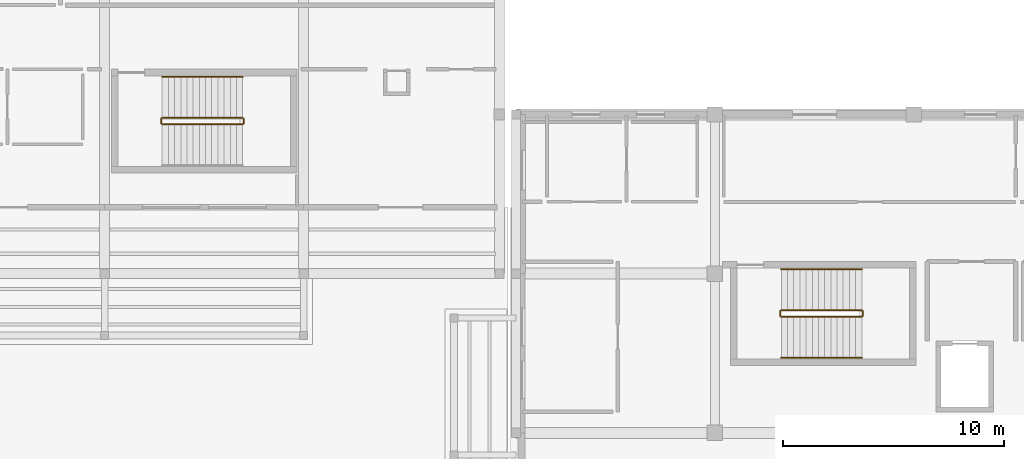
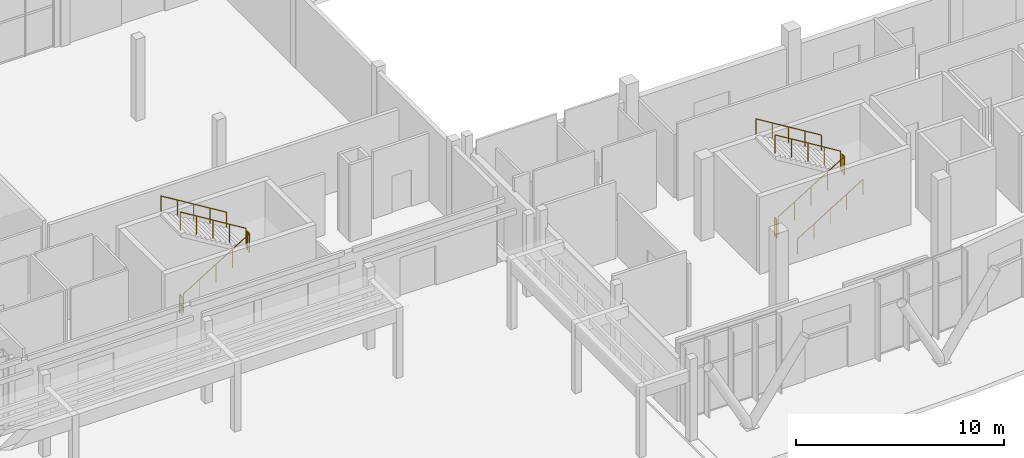
# One storey, part 138 of 151: 11 railings.
"""IFC4 building model written with IfcOpenShell, lengths in metres."""

from ifc_helpers import new_model, si_unit, direction, frame, origin, origin_2d, place, context, subcontext, project, spatial, circle, extrude, material, layer, layer_set, type_object, element, save


model = new_model("IFC4")

# Units and contexts
model_context = context("Model", 3, precision=1e-05, world=origin(), true_north=direction((0.0, 1.0)))
body_context = subcontext(model_context, "Body", "Model", "MODEL_VIEW")
ifc_project = project(units=[si_unit("LENGTHUNIT", "METRE"), si_unit("AREAUNIT", "SQUARE_METRE"), si_unit("VOLUMEUNIT", "CUBIC_METRE"), si_unit("PLANEANGLEUNIT", "RADIAN"), si_unit("MASSUNIT", "GRAM", prefix="KILO")], contexts=[model_context])

# Site, building, storey
site_placement = place(None, origin())
site = spatial("IfcSite", under=ifc_project, at=site_placement, CompositionType="ELEMENT")
building_placement = place(site_placement, origin())
building = spatial("IfcBuilding", under=site, at=building_placement, Name="Chiffa Square Polytechnic", CompositionType="ELEMENT")
storey_placement = place(building_placement, origin())
storey = spatial("IfcBuildingStorey", under=building, at=storey_placement, Name="L00", CompositionType="ELEMENT", Elevation=0.0)

# Railings
ifc_material = material(Name="Steel S355", Category="steel")
ifc_layer_1 = layer(ifc_material, 0.050048828125, Name="Steel S355")
ifc_layer_set_1 = layer_set([ifc_layer_1], Name="Steel S355")
railing_type_1 = type_object("IfcRailingType", Name="RL-STAIR-GUARD", PredefinedType="GUARDRAIL", material=ifc_layer_set_1)
railing_1_placement = place(storey_placement, frame((124.199951171875, 19.64990234375, 0.17138671875)))
element("IfcRailing", 1, at=railing_1_placement, inside=storey, type_object=railing_type_1, Name="L00 ST-V1A stair guard 1", PredefinedType="GUARDRAIL", context=body_context, shape_type="SweptSolid", body=[
    extrude(circle(Radius=0.02392578125, at=origin_2d()), frame((0.0, 0.0, 1.076171875), z_axis=(0.852865859571, 0.0, 0.52213008492), x_axis=(0.0, 1.0, 0.0)), (0.0, 0.0, 1.0), 4.26806640625),
    extrude(circle(Radius=0.02099609375, at=origin_2d()), origin(), (0.0, 0.0, 1.0), 1.052001953125),
    extrude(circle(Radius=0.02099609375, at=origin_2d()), frame((0.91015625, 0.0, 0.55712890625)), (0.0, 0.0, 1.0), 1.052001953125),
    extrude(circle(Radius=0.02099609375, at=origin_2d()), frame((1.820068359375, 0.0, 1.1142578125)), (0.0, 0.0, 1.0), 1.052001953125),
    extrude(circle(Radius=0.02099609375, at=origin_2d()), frame((2.72998046875, 0.0, 1.67138671875)), (0.0, 0.0, 1.0), 1.052001953125),
    extrude(circle(Radius=0.02099609375, at=origin_2d()), frame((3.64013671875, 0.0, 2.228515625)), (0.0, 0.0, 1.0), 1.052001953125),
])
railing_2_placement = place(storey_placement, frame((127.889892578125, 19.699951171875, 2.39990234375)))
element("IfcRailing", 2, at=railing_2_placement, inside=storey, type_object=railing_type_1, Name="L00 ST-V1A stair guard 2", PredefinedType="GUARDRAIL", context=body_context, shape_type="SweptSolid", body=[
    extrude(circle(Radius=0.02392578125, at=origin_2d()), frame((0.0, 0.0, 1.076171875), z_axis=(0.0, 1.0, 0.0), x_axis=(-1.0, 0.0, 0.0)), (0.0, 0.0, 1.0), 0.199951171875),
    extrude(circle(Radius=0.02099609375, at=origin_2d()), origin(), (0.0, 0.0, 1.0), 1.052001953125),
    extrude(circle(Radius=0.02099609375, at=origin_2d()), frame((0.0, 0.199951171875, 0.0)), (0.0, 0.0, 1.0), 1.052001953125),
])
railing_3_placement = place(storey_placement, frame((127.840087890625, 19.949951171875, 2.571533203125)))
element("IfcRailing", 3, at=railing_3_placement, inside=storey, type_object=railing_type_1, Name="L00 ST-V1A stair guard 3", PredefinedType="GUARDRAIL", context=body_context, shape_type="SweptSolid", body=[
    extrude(circle(Radius=0.02392578125, at=origin_2d()), frame((0.0, 0.0, 1.076171875), z_axis=(-0.852865859571, 0.0, 0.52213008492), x_axis=(0.0, -1.0, 0.0)), (0.0, 0.0, 1.0), 4.26806640625),
    extrude(circle(Radius=0.02099609375, at=origin_2d()), origin(), (0.0, 0.0, 1.0), 1.052001953125),
    extrude(circle(Radius=0.02099609375, at=origin_2d()), frame((-0.91015625, 0.0, 0.55712890625)), (0.0, 0.0, 1.0), 1.052001953125),
    extrude(circle(Radius=0.02099609375, at=origin_2d()), frame((-1.820068359375, 0.0, 1.1142578125)), (0.0, 0.0, 1.0), 1.052001953125),
    extrude(circle(Radius=0.02099609375, at=origin_2d()), frame((-2.72998046875, 0.0, 1.67138671875)), (0.0, 0.0, 1.0), 1.052001953125),
    extrude(circle(Radius=0.02099609375, at=origin_2d()), frame((-3.64013671875, 0.0, 2.228515625)), (0.0, 0.0, 1.0), 1.052001953125),
])
railing_4_placement = place(storey_placement, frame((124.14990234375, 19.699951171875, 0.0)))
element("IfcRailing", 4, at=railing_4_placement, inside=storey, type_object=railing_type_1, Name="L00 ST-V1A stair guard 4", PredefinedType="GUARDRAIL", context=body_context, shape_type="SweptSolid", body=[
    extrude(circle(Radius=0.02392578125, at=origin_2d()), frame((0.0, 0.0, 1.076171875), z_axis=(0.0, 1.0, 0.0), x_axis=(-1.0, 0.0, 0.0)), (0.0, 0.0, 1.0), 0.199951171875),
    extrude(circle(Radius=0.02099609375, at=origin_2d()), origin(), (0.0, 0.0, 1.0), 1.052001953125),
    extrude(circle(Radius=0.02099609375, at=origin_2d()), frame((0.0, 0.199951171875, 0.0)), (0.0, 0.0, 1.0), 1.052001953125),
])
railing_5_placement = place(storey_placement, frame((96.199951171875, 28.35009765625, 0.17138671875)))
element("IfcRailing", 5, at=railing_5_placement, inside=storey, type_object=railing_type_1, Name="L00 ST-V4B stair guard 1", PredefinedType="GUARDRAIL", context=body_context, shape_type="SweptSolid", body=[
    extrude(circle(Radius=0.02392578125, at=origin_2d()), frame((0.0, 0.0, 1.076171875), z_axis=(0.852865859571, 0.0, 0.52213008492), x_axis=(0.0, 1.0, 0.0)), (0.0, 0.0, 1.0), 4.26806640625),
    extrude(circle(Radius=0.02099609375, at=origin_2d()), origin(), (0.0, 0.0, 1.0), 1.052001953125),
    extrude(circle(Radius=0.02099609375, at=origin_2d()), frame((0.91015625, 0.0, 0.55712890625)), (0.0, 0.0, 1.0), 1.052001953125),
    extrude(circle(Radius=0.02099609375, at=origin_2d()), frame((1.820068359375, 0.0, 1.1142578125)), (0.0, 0.0, 1.0), 1.052001953125),
    extrude(circle(Radius=0.02099609375, at=origin_2d()), frame((2.72998046875, 0.0, 1.67138671875)), (0.0, 0.0, 1.0), 1.052001953125),
    extrude(circle(Radius=0.02099609375, at=origin_2d()), frame((3.64013671875, 0.0, 2.228515625)), (0.0, 0.0, 1.0), 1.052001953125),
])
railing_6_placement = place(storey_placement, frame((99.889892578125, 28.39990234375, 2.39990234375)))
element("IfcRailing", 6, at=railing_6_placement, inside=storey, type_object=railing_type_1, Name="L00 ST-V4B stair guard 2", PredefinedType="GUARDRAIL", context=body_context, shape_type="SweptSolid", body=[
    extrude(circle(Radius=0.02392578125, at=origin_2d()), frame((0.0, 0.0, 1.076171875), z_axis=(0.0, 1.0, 0.0), x_axis=(-1.0, 0.0, 0.0)), (0.0, 0.0, 1.0), 0.2001953125),
    extrude(circle(Radius=0.02099609375, at=origin_2d()), origin(), (0.0, 0.0, 1.0), 1.052001953125),
    extrude(circle(Radius=0.02099609375, at=origin_2d()), frame((0.0, 0.2001953125, 0.0)), (0.0, 0.0, 1.0), 1.052001953125),
])
railing_7_placement = place(storey_placement, frame((99.840087890625, 28.64990234375, 2.571533203125)))
element("IfcRailing", 7, at=railing_7_placement, inside=storey, type_object=railing_type_1, Name="L00 ST-V4B stair guard 3", PredefinedType="GUARDRAIL", context=body_context, shape_type="SweptSolid", body=[
    extrude(circle(Radius=0.02392578125, at=origin_2d()), frame((0.0, 0.0, 1.076171875), z_axis=(-0.852865859571, 0.0, 0.52213008492), x_axis=(0.0, -1.0, 0.0)), (0.0, 0.0, 1.0), 4.26806640625),
    extrude(circle(Radius=0.02099609375, at=origin_2d()), origin(), (0.0, 0.0, 1.0), 1.052001953125),
    extrude(circle(Radius=0.02099609375, at=origin_2d()), frame((-0.91015625, 0.0, 0.55712890625)), (0.0, 0.0, 1.0), 1.052001953125),
    extrude(circle(Radius=0.02099609375, at=origin_2d()), frame((-1.820068359375, 0.0, 1.1142578125)), (0.0, 0.0, 1.0), 1.052001953125),
    extrude(circle(Radius=0.02099609375, at=origin_2d()), frame((-2.72998046875, 0.0, 1.67138671875)), (0.0, 0.0, 1.0), 1.052001953125),
    extrude(circle(Radius=0.02099609375, at=origin_2d()), frame((-3.64013671875, 0.0, 2.228515625)), (0.0, 0.0, 1.0), 1.052001953125),
])
railing_8_placement = place(storey_placement, frame((96.14990234375, 28.39990234375, 0.0)))
element("IfcRailing", 8, at=railing_8_placement, inside=storey, type_object=railing_type_1, Name="L00 ST-V4B stair guard 4", PredefinedType="GUARDRAIL", context=body_context, shape_type="SweptSolid", body=[
    extrude(circle(Radius=0.02392578125, at=origin_2d()), frame((0.0, 0.0, 1.076171875), z_axis=(0.0, 1.0, 0.0), x_axis=(-1.0, 0.0, 0.0)), (0.0, 0.0, 1.0), 0.2001953125),
    extrude(circle(Radius=0.02099609375, at=origin_2d()), origin(), (0.0, 0.0, 1.0), 1.052001953125),
    extrude(circle(Radius=0.02099609375, at=origin_2d()), frame((0.0, 0.2001953125, 0.0)), (0.0, 0.0, 1.0), 1.052001953125),
])
ifc_layer_2 = layer(ifc_material, 0.044921875, Name="Steel S355")
ifc_layer_set_2 = layer_set([ifc_layer_2], Name="Steel S355")
railing_type_2 = type_object("IfcRailingType", Name="RL-STAIR-HAND", PredefinedType="HANDRAIL", material=ifc_layer_set_2)
railing_9_placement = place(storey_placement, frame((124.199951171875, 17.800048828125, 0.17138671875)))
element("IfcRailing", 9, at=railing_9_placement, inside=storey, type_object=railing_type_2, Name="L00 ST-V1A stair handrail 1", PredefinedType="HANDRAIL", context=body_context, shape_type="SweptSolid", body=[
    extrude(circle(Radius=0.02392578125, at=origin_2d()), frame((0.0, 0.0, 0.89599609375), z_axis=(0.852865859571, 0.0, 0.52213008492), x_axis=(0.0, 1.0, 0.0)), (0.0, 0.0, 1.0), 4.26806640625),
    extrude(circle(Radius=0.02099609375, at=origin_2d()), origin(), (0.0, 0.0, 1.0), 0.871826171875),
    extrude(circle(Radius=0.02099609375, at=origin_2d()), frame((0.91015625, 0.0, 0.55712890625)), (0.0, 0.0, 1.0), 0.871826171875),
    extrude(circle(Radius=0.02099609375, at=origin_2d()), frame((1.820068359375, 0.0, 1.1142578125)), (0.0, 0.0, 1.0), 0.871826171875),
    extrude(circle(Radius=0.02099609375, at=origin_2d()), frame((2.72998046875, 0.0, 1.67138671875)), (0.0, 0.0, 1.0), 0.871826171875),
    extrude(circle(Radius=0.02099609375, at=origin_2d()), frame((3.64013671875, 0.0, 2.228515625)), (0.0, 0.0, 1.0), 0.871826171875),
])
for number, where, name in (
    (10, (127.840087890625, 21.800048828125, 2.571533203125), "L00 ST-V1A stair handrail 2"),
    (11, (99.840087890625, 30.5, 2.571533203125), "L00 ST-V4B stair handrail 2"),
):
    element("IfcRailing", number, at=place(storey_placement, frame(where)), inside=storey, type_object=railing_type_2, Name=name, PredefinedType="HANDRAIL", context=body_context, shape_type="SweptSolid", body=[
        extrude(circle(Radius=0.02392578125, at=origin_2d()), frame((0.0, 0.0, 0.89599609375), z_axis=(-0.852865859571, 0.0, 0.52213008492), x_axis=(0.0, -1.0, 0.0)), (0.0, 0.0, 1.0), 4.26806640625),
        extrude(circle(Radius=0.02099609375, at=origin_2d()), origin(), (0.0, 0.0, 1.0), 0.871826171875),
        extrude(circle(Radius=0.02099609375, at=origin_2d()), frame((-0.91015625, 0.0, 0.55712890625)), (0.0, 0.0, 1.0), 0.871826171875),
        extrude(circle(Radius=0.02099609375, at=origin_2d()), frame((-1.820068359375, 0.0, 1.1142578125)), (0.0, 0.0, 1.0), 0.871826171875),
        extrude(circle(Radius=0.02099609375, at=origin_2d()), frame((-2.72998046875, 0.0, 1.67138671875)), (0.0, 0.0, 1.0), 0.871826171875),
        extrude(circle(Radius=0.02099609375, at=origin_2d()), frame((-3.64013671875, 0.0, 2.228515625)), (0.0, 0.0, 1.0), 0.871826171875),
    ])

save(model, "model.ifc")
